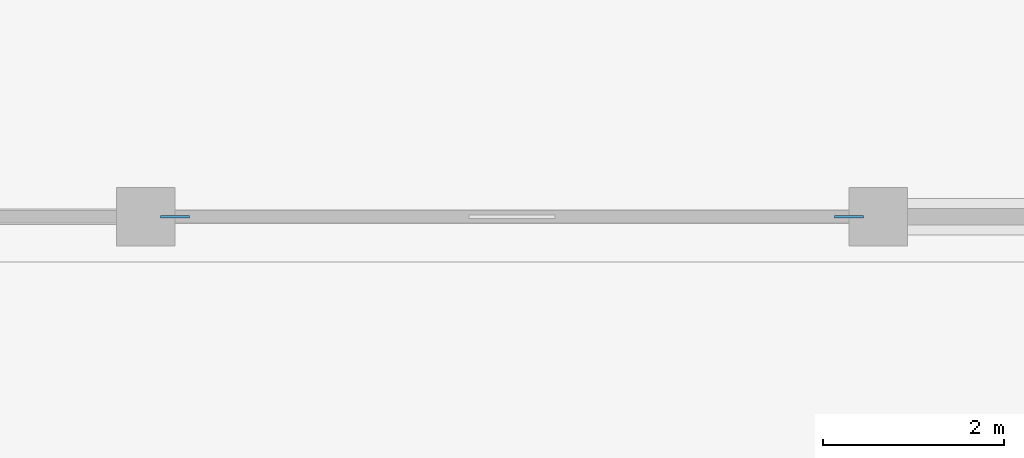
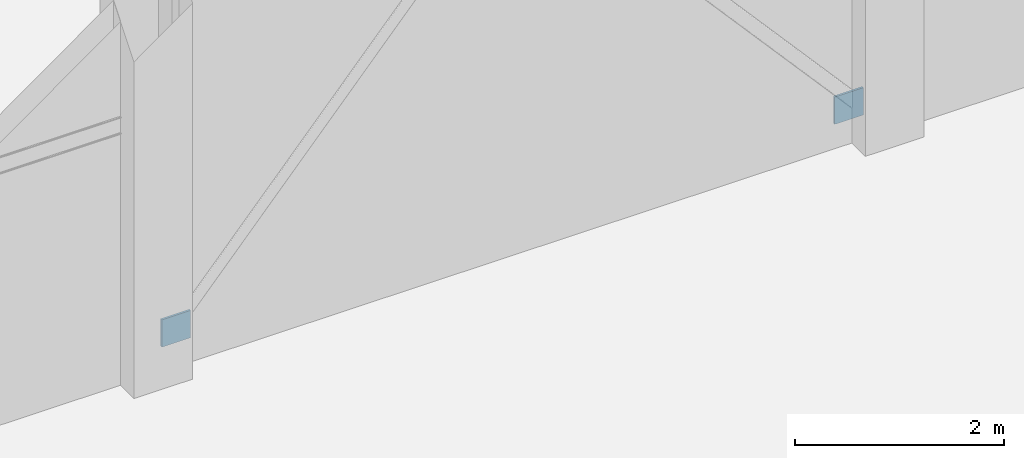
# One storey, part 78 of 99: 2 discrete accessories.
"""IFC4 building model written with IfcOpenShell, lengths in metres."""

from ifc_helpers import new_model, si_unit, direction, frame, origin, origin_2d, place, context, subcontext, project, spatial, rectangle, extrude, material, type_object, element, save


model = new_model("IFC4")

# Units and contexts
model_context = context("Model", 3, precision=1e-05, world=origin(), true_north=direction((0.0, 1.0)))
body_context = subcontext(model_context, "Body", "Model", "MODEL_VIEW")
ifc_project = project(units=[si_unit("LENGTHUNIT", "METRE"), si_unit("AREAUNIT", "SQUARE_METRE"), si_unit("VOLUMEUNIT", "CUBIC_METRE"), si_unit("PLANEANGLEUNIT", "RADIAN"), si_unit("MASSUNIT", "GRAM", prefix="KILO")], contexts=[model_context])

# Site, building, storey
site_placement = place(None, origin())
site = spatial("IfcSite", under=ifc_project, at=site_placement, CompositionType="ELEMENT")
building_placement = place(site_placement, origin())
building = spatial("IfcBuilding", under=site, at=building_placement, Name="Vaudrelin Polytechnic", CompositionType="ELEMENT")
storey_placement = place(building_placement, origin())
storey = spatial("IfcBuildingStorey", under=building, at=storey_placement, Name="L00", CompositionType="ELEMENT", Elevation=0.0)

# Discrete accessories
ifc_material = material(Name="Steel CSA G40.21 350WT", Category="steel")
discrete_accessory_type = type_object("IfcDiscreteAccessoryType", Name="ACC-CPL-01", PredefinedType="BRACKET", material=ifc_material)
for number, where, z_axis, x_axis, name in (
    (1, (105.625, 32.39990234375, 0.23974609375), (0.0, 0.0, 1.0), (1.0, 0.0, 0.0), "Brace end connection plate CPL-013"),
    (2, (113.074951171875, 32.39990234375, 0.23974609375), (0.0, 0.0, 1.0), (1.0, 0.0, 0.0), "Brace end connection plate CPL-014"),
):
    element("IfcDiscreteAccessory", number, at=place(storey_placement, frame(where, z_axis=z_axis, x_axis=x_axis)), inside=storey, type_object=discrete_accessory_type, Name=name, PredefinedType="BRACKET", context=body_context, shape_type="SweptSolid", body=[
        extrude(rectangle(XDim=0.320068359375, YDim=0.02392578125, at=origin_2d()), origin(), (0.0, 0.0, 1.0), 0.320068359375),
    ])

save(model, "model.ifc")
